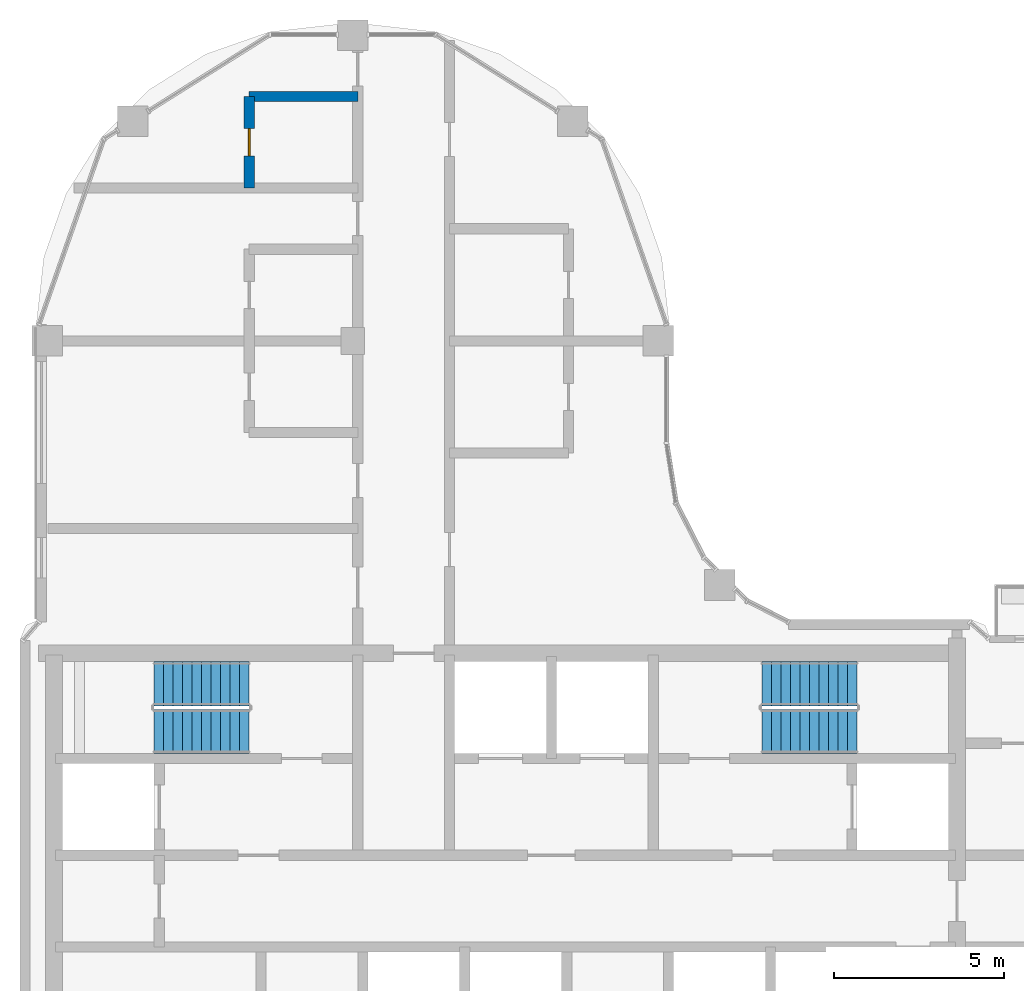
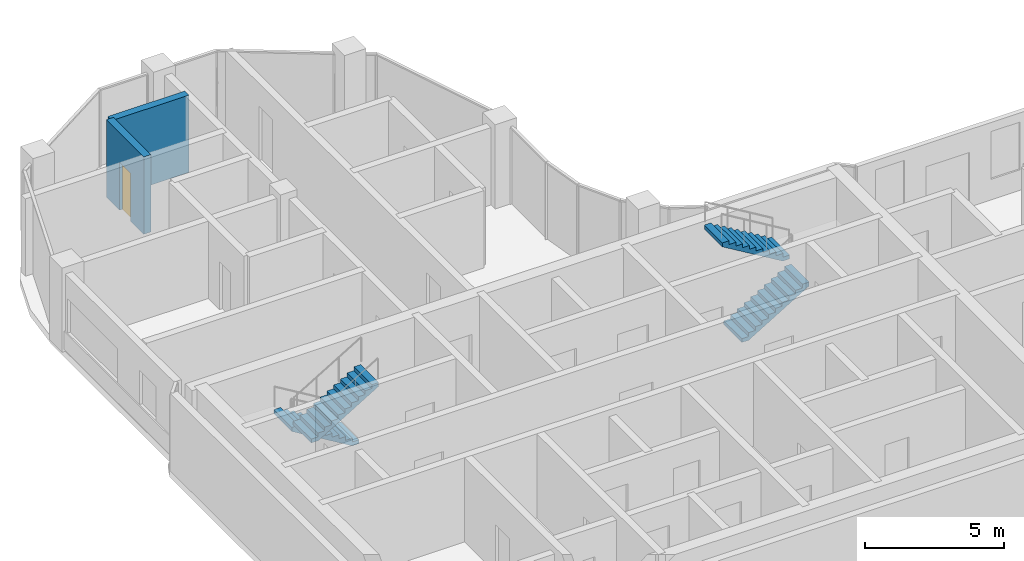
# One storey, part 14 of 19: 4 stair flights, 2 walls, 1 door, 1 opening, 2 elements without a shape of their own.
"""IFC4 building model written with IfcOpenShell, lengths in metres."""

import ifcopenshell
import ifcopenshell.guid

model = None  # the IFC model being written
_history = None  # IfcOwnerHistory: only IFC2X3 demands one
_inside = {}  # id of a spatial element -> (the spatial element, [elements in it])
_under = {}  # id of a project, library or spatial element -> (it, [spatial elements below it])
_declared = {}  # id of a project -> (the project, [libraries it declares])
_typed = {}  # id of a type object -> (the type object, [elements of that type])
_made_of = {}  # id of a material, layer set ... -> (it, [elements and type objects made of it])


def new_model(schema):
    """Start an empty IFC model of exactly this schema.

    Asked for "IFC4X3", IfcOpenShell would pick the latest addendum, in which some entities
    have other attributes; the version numbers below select the first issue.
    IFC2X3 requires an IfcOwnerHistory on every rooted entity: one is made here for all.
    """
    global model, _history
    if schema == "IFC4X3":
        model = ifcopenshell.file(schema_version=(4, 3, 0, 0))
    else:
        model = ifcopenshell.file(schema=schema)
    _inside.clear()
    _under.clear()
    _declared.clear()
    _typed.clear()
    _made_of.clear()
    _history = None
    if model.schema == "IFC2X3":
        org = make("IfcOrganization", Name="unknown")
        user = make(
            "IfcPersonAndOrganization",
            ThePerson=make("IfcPerson", FamilyName="unknown"),
            TheOrganization=org,
        )
        app = make(
            "IfcApplication",
            ApplicationDeveloper=org,
            Version="unknown",
            ApplicationFullName="unknown",
            ApplicationIdentifier="unknown",
        )
        _history = make(
            "IfcOwnerHistory",
            OwningUser=user,
            OwningApplication=app,
            ChangeAction="ADDED",
            CreationDate=0,
        )
    return model


def make(cls, **values):
    """One entity of the class cls with the attributes given. An attribute that is None is left unset."""
    return model.create_entity(
        cls, **{name: value for name, value in values.items() if value is not None}
    )


def rooted(cls, **values):
    """An entity with a GlobalId (a new one), such as an element, a storey or a relation."""
    return make(cls, GlobalId=ifcopenshell.guid.new(), OwnerHistory=_history, **values)


def si_unit(unit_type, name, prefix=None):
    """IfcSIUnit, for example si_unit("LENGTHUNIT", "METRE", prefix="MILLI")."""
    return make("IfcSIUnit", UnitType=unit_type, Prefix=prefix, Name=name)


def assignment(units):
    """IfcUnitAssignment: the units of a project."""
    return None if units is None else make("IfcUnitAssignment", Units=units)


def point(xyz):
    """IfcCartesianPoint."""
    return None if xyz is None else make("IfcCartesianPoint", Coordinates=xyz)


def direction(xyz):
    """IfcDirection."""
    return None if xyz is None else make("IfcDirection", DirectionRatios=xyz)


def frame(location, z_axis=None, x_axis=None):
    """IfcAxis2Placement3D, a coordinate frame: its origin and axes. An axis left out is left unset."""
    return make(
        "IfcAxis2Placement3D",
        Location=point(location),
        Axis=direction(z_axis),
        RefDirection=direction(x_axis),
    )


def frame_2d(location, x_axis=None):
    """IfcAxis2Placement2D, a coordinate frame in the plane: its origin and x axis."""
    return make(
        "IfcAxis2Placement2D", Location=point(location), RefDirection=direction(x_axis)
    )


def origin():
    """The frame at (0, 0, 0) with its axes left unset."""
    return frame((0.0, 0.0, 0.0))


def place(relative_to, where):
    """IfcLocalPlacement: puts the frame where relative to a parent placement (None: the world)."""
    return make(
        "IfcLocalPlacement", PlacementRelTo=relative_to, RelativePlacement=where
    )


def context(
    kind, dimensions, precision=None, world=None, true_north=None, identifier=None
):
    """IfcGeometricRepresentationContext, for example the 3D "Model" context."""
    return make(
        "IfcGeometricRepresentationContext",
        ContextIdentifier=identifier,
        ContextType=kind,
        CoordinateSpaceDimension=dimensions,
        Precision=precision,
        WorldCoordinateSystem=world,
        TrueNorth=true_north,
    )


def subcontext(parent, identifier, kind, view, scale=None):
    """IfcGeometricRepresentationSubContext, for example "Body" below "Model"."""
    return make(
        "IfcGeometricRepresentationSubContext",
        ContextIdentifier=identifier,
        ContextType=kind,
        ParentContext=parent,
        TargetScale=scale,
        TargetView=view,
    )


def project(units=None, contexts=None):
    """IfcProject with its units and contexts."""
    return rooted(
        "IfcProject",
        Name="project",
        RepresentationContexts=contexts,
        UnitsInContext=assignment(units),
    )


def spatial(cls, under=None, at=None, **own):
    """A site, building, storey or space (cls), placed at a placement, below another one or the project."""
    s = rooted(cls, ObjectPlacement=at, **own)
    if under is not None:
        _under.setdefault(under.id(), (under, []))[1].append(s)
    return s


def point_list(points):
    """IfcCartesianPointList2D or 3D."""
    cls = (
        "IfcCartesianPointList2D" if len(points[0]) == 2 else "IfcCartesianPointList3D"
    )
    return make(cls, CoordList=points)


def profile(cls, at=None, kind="AREA", **sizes):
    """A parametric profile (cls). Its sizes go by their IFC names, for example OverallWidth=200.0."""
    return make(cls, ProfileType=kind, Position=at, **sizes)


def rectangle(**sizes):
    """IfcRectangleProfileDef."""
    return profile("IfcRectangleProfileDef", **sizes)


def extrude(swept, where, along, depth):
    """IfcExtrudedAreaSolid: the profile swept, set in the frame where, extruded along a direction by depth."""
    return make(
        "IfcExtrudedAreaSolid",
        SweptArea=swept,
        Position=where,
        ExtrudedDirection=direction(along),
        Depth=depth,
    )


def triangles(points, corners, closed=None, point_numbers=None):
    """IfcTriangulatedFaceSet: each triangle names its three corners, points numbered from 1."""
    return make(
        "IfcTriangulatedFaceSet",
        Coordinates=point_list(points),
        Closed=closed,
        CoordIndex=corners,
        PnIndex=point_numbers,
    )


def shape(context_of_items, identifier, shape_type, items):
    """IfcShapeRepresentation: the items that make up one representation, for example the "Body"."""
    return make(
        "IfcShapeRepresentation",
        ContextOfItems=context_of_items,
        RepresentationIdentifier=identifier,
        RepresentationType=shape_type,
        Items=items,
    )


def source(mapping_origin, context_of_items, identifier, shape_type, items):
    """IfcRepresentationMap: a shape defined once, which mapped items show again and again."""
    return make(
        "IfcRepresentationMap",
        MappingOrigin=mapping_origin,
        MappedRepresentation=shape(context_of_items, identifier, shape_type, items),
    )


def transform(
    local_origin,
    x_axis=None,
    y_axis=None,
    z_axis=None,
    scale=None,
    scale2=None,
    scale3=None,
    uniform=True,
):
    """IfcCartesianTransformationOperator3D, or its non-uniform kind. x_axis, y_axis, z_axis: its Axis1, 2, 3."""
    if uniform:
        return make(
            "IfcCartesianTransformationOperator3D",
            Axis1=direction(x_axis),
            Axis2=direction(y_axis),
            LocalOrigin=point(local_origin),
            Scale=scale,
            Axis3=direction(z_axis),
        )
    return make(
        "IfcCartesianTransformationOperator3DnonUniform",
        Axis1=direction(x_axis),
        Axis2=direction(y_axis),
        LocalOrigin=point(local_origin),
        Scale=scale,
        Axis3=direction(z_axis),
        Scale2=scale2,
        Scale3=scale3,
    )


def mapped(mapping_source, mapping_target):
    """IfcMappedItem: shows the shape of a source again, moved by a transform."""
    return make(
        "IfcMappedItem", MappingSource=mapping_source, MappingTarget=mapping_target
    )


def material(Name=None, Category=None):
    """IfcMaterial."""
    return make("IfcMaterial", Name=Name, Category=Category)


def layer(
    of_material, thickness, ventilated=None, Name=None, Category=None, Priority=None
):
    """IfcMaterialLayer: one layer of a wall or slab, of a material (None: an air gap)."""
    return make(
        "IfcMaterialLayer",
        Material=of_material,
        LayerThickness=thickness,
        IsVentilated=ventilated,
        Name=Name,
        Category=Category,
        Priority=Priority,
    )


def layer_set(layers, Name=None):
    """IfcMaterialLayerSet."""
    return make("IfcMaterialLayerSet", MaterialLayers=layers, LayerSetName=Name)


def made_of(thing, what):
    """Note that an element or type object is made of a material, layer set ...; save() writes the relation."""
    if what is not None:
        _made_of.setdefault(what.id(), (what, []))[1].append(thing)
    return thing


def type_object(cls, material=None, **own):
    """A type object (cls), such as IfcWallType, which elements share."""
    return made_of(rooted(cls, **own), material)


def element(
    cls,
    number,
    at=None,
    inside=None,
    cuts=None,
    type_object=None,
    material=None,
    context=None,
    identifier="Body",
    shape_type=None,
    held_by="IfcProductDefinitionShape",
    body=None,
    shapes=None,
    **own,
):
    """One element of the class cls, such as IfcWall. Its Tag is "e" and its number.

    at: its placement. inside: the storey or other place that contains it. cuts: it is an
    opening in that element (IfcRelVoidsElement). A single representation is given by context,
    identifier, shape_type and body (its items); several are given by shapes. held_by: the class
    of the entity that holds the representations. save() writes the other relations.
    """
    e = rooted(cls, Tag="e%d" % number, ObjectPlacement=at, **own)
    if body is not None:
        shapes = [shape(context, identifier, shape_type, body)]
    if shapes is not None:
        e.Representation = make(held_by, Representations=shapes)
    if inside is not None:
        _inside.setdefault(inside.id(), (inside, []))[1].append(e)
    if cuts is not None:
        rooted(
            "IfcRelVoidsElement", RelatingBuildingElement=cuts, RelatedOpeningElement=e
        )
    if type_object is not None:
        _typed.setdefault(type_object.id(), (type_object, []))[1].append(e)
    return made_of(e, material)


def fill(opening, filler):
    """IfcRelFillsElement: the door or window that sits in an opening."""
    return rooted(
        "IfcRelFillsElement",
        RelatingOpeningElement=opening,
        RelatedBuildingElement=filler,
    )


def aggregate(whole, parts):
    """IfcRelAggregates: a whole, such as a stair, and the parts it consists of."""
    return rooted("IfcRelAggregates", RelatingObject=whole, RelatedObjects=parts)


def save(model, path):
    """Write the relations noted so far, then the file.

    IfcRelAggregates (storeys below a building ...), IfcRelContainedInSpatialStructure (elements
    in a storey), IfcRelDefinesByType, IfcRelAssociatesMaterial and IfcRelDeclares: one each for
    every whole, place, type object, material and project.
    """
    for whole, parts in _under.values():
        aggregate(whole, parts)
    for where, things in _inside.values():
        rooted(
            "IfcRelContainedInSpatialStructure",
            RelatedElements=things,
            RelatingStructure=where,
        )
    for kind, things in _typed.values():
        rooted("IfcRelDefinesByType", RelatedObjects=things, RelatingType=kind)
    for what, things in _made_of.values():
        rooted("IfcRelAssociatesMaterial", RelatedObjects=things, RelatingMaterial=what)
    for by, libraries in _declared.values():
        rooted("IfcRelDeclares", RelatingContext=by, RelatedDefinitions=libraries)
    model.write(path)


model = new_model("IFC4")

# Units and contexts
model_context = context("Model", 3, precision=1e-05, world=origin(), true_north=direction((0.0, 1.0)))
body_context = subcontext(model_context, "Body", "Model", "MODEL_VIEW")
ifc_project = project(units=[si_unit("LENGTHUNIT", "METRE"), si_unit("AREAUNIT", "SQUARE_METRE"), si_unit("VOLUMEUNIT", "CUBIC_METRE"), si_unit("PLANEANGLEUNIT", "RADIAN"), si_unit("MASSUNIT", "GRAM", prefix="KILO")], contexts=[model_context])

# Site, building, storey
site_placement = place(None, origin())
site = spatial("IfcSite", under=ifc_project, at=site_placement, CompositionType="ELEMENT")
building_placement = place(site_placement, origin())
building = spatial("IfcBuilding", under=site, at=building_placement, Name="Ogive Portal Towers", CompositionType="ELEMENT")
storey_placement = place(building_placement, frame((0.0, 0.0, 218.0)))
storey = spatial("IfcBuildingStorey", under=building, at=storey_placement, Name="L54", CompositionType="ELEMENT", Elevation=218.0)

# Wall
ifc_material_1 = material(Name="Gypsum board partition on steel studs", Category="steel")
ifc_layer = layer(ifc_material_1, 0.300048828125)
ifc_layer_set = layer_set([ifc_layer], Name="WT-PART-300-EI 60")
wall_type = type_object("IfcWallType", Name="WT-PART-300-EI 60", PredefinedType="PARTITIONING", material=ifc_layer_set)
wall_1_placement = place(storey_placement, frame((37.449951171875, 55.699951171875, 0.0), z_axis=(0.0, 0.0, 1.0), x_axis=(1.0, 0.0, 0.0)))
element("IfcWall", 1, at=wall_1_placement, inside=storey, type_object=wall_type, Name="Wall L54:w022", PredefinedType="PARTITIONING", context=body_context, shape_type="SweptSolid", body=[
    extrude(rectangle(XDim=3.199951171875, YDim=0.300048828125, at=frame_2d((1.60009765625, 0.0))), origin(), (0.0, 0.0, 1.0), 3.39990234375),
])

# Wall, opening, door
wall_2_placement = place(storey_placement, frame((37.449951171875, 53.0, 0.0), z_axis=(0.0, 0.0, 1.0), x_axis=(0.0, 1.0, 0.0)))
wall_2 = element("IfcWall", 2, at=wall_2_placement, inside=storey, type_object=wall_type, Name="Wall L54:w024", PredefinedType="PARTITIONING", context=body_context, shape_type="SweptSolid", body=[
    extrude(rectangle(XDim=2.699951171875, YDim=0.300048828125, at=frame_2d((1.35009765625, 0.0))), origin(), (0.0, 0.0, 1.0), 3.39990234375),
])
opening_placement = place(wall_2_placement, frame((0.949951171875, 0.0, 0.0)))
opening = element("IfcOpeningElement", 3, at=opening_placement, cuts=wall_2, Name="Opening D24-051", PredefinedType="OPENING", context=body_context, shape_type="SweptSolid", body=[
    extrude(rectangle(XDim=0.800048828125, YDim=2.10009765625, at=frame_2d((0.39990234375, 1.050048828125))), frame((0.0, 0.16015625, 0.0), z_axis=(0.0, -1.0, 0.0), x_axis=(1.0, 0.0, 0.0)), (0.0, 0.0, 1.0), 0.320068359375),
])
ifc_material_2 = material(Name="Steel fire door", Category="steel")
door_type = type_object("IfcDoorType", Name="DT-BATH-800x2100-FD60S", OperationType="SINGLE_SWING_LEFT", PredefinedType="DOOR", material=ifc_material_2)
door_placement = place(opening_placement, origin())
door = element("IfcDoor", 4, at=door_placement, inside=storey, type_object=door_type, Name="Door D24-051", OperationType="SINGLE_SWING_LEFT", OverallHeight=2.10009765625, OverallWidth=0.800048828125, PredefinedType="DOOR", context=body_context, shape_type="SweptSolid", body=[
    extrude(rectangle(XDim=0.800048828125, YDim=2.10009765625, at=frame_2d((0.39990234375, 1.050048828125))), frame((0.0, 0.02490234375, 0.0), z_axis=(0.0, -1.0, 0.0), x_axis=(1.0, 0.0, 0.0)), (0.0, 0.0, 1.0), 0.050048828125),
])
fill(opening, door)

# Stair, stair flights
ifc_material_3 = material(Name="Concrete C40/50", Category="concrete")
stair_type = type_object("IfcStairType", Name="INT-STAIR", PredefinedType="HALF_TURN_STAIR", material=ifc_material_3)
stair_1_placement = place(storey_placement, origin())
stair_1 = element("IfcStair", 5, at=stair_1_placement, inside=storey, type_object=stair_type, Name="L54 Exit Stair ST-A1", PredefinedType="HALF_TURN_STAIR")
stair_flight_type = type_object("IfcStairFlightType", Name="INT-FLIGHT", PredefinedType="STRAIGHT", material=ifc_material_3)
shared_shape = source(origin(), body_context, "Body", "Tessellation", [
    triangles([(0.0, -0.650146484375, 0.0), (0.0, -0.376220703125, 0.0), (0.0, -0.192626953125, 0.0), (0.0, -0.081298828125, 0.0), (0.0, -0.024169921875, 0.0), (0.0, -0.003173828125, 0.0), (0.0, 0.0, 0.0), (0.0, 0.0029296875, 0.0), (0.0, 0.02392578125, 0.0), (0.0, 0.0810546875, 0.0), (0.0, 0.1923828125, 0.0), (0.0, 0.3759765625, 0.0), (0.0, 0.64990234375, 0.0), (0.0, -0.650146484375, 0.168212890625), (0.0, -0.376220703125, 0.168212890625), (0.0, -0.192626953125, 0.168212890625), (0.0, -0.081298828125, 0.168212890625), (0.0, -0.024169921875, 0.168212890625), (0.0, -0.003173828125, 0.168212890625), (0.0, 0.0, 0.168212890625), (0.0, 0.0029296875, 0.168212890625), (0.0, 0.02392578125, 0.168212890625), (0.0, 0.0810546875, 0.168212890625), (0.0, 0.1923828125, 0.168212890625), (0.0, 0.3759765625, 0.168212890625), (0.0, 0.64990234375, 0.168212890625), (0.280029296875, -0.650146484375, 0.168212890625), (0.280029296875, -0.376220703125, 0.168212890625), (0.280029296875, -0.192626953125, 0.168212890625), (0.280029296875, -0.081298828125, 0.168212890625), (0.280029296875, -0.024169921875, 0.168212890625), (0.280029296875, -0.003173828125, 0.168212890625), (0.280029296875, 0.0, 0.168212890625), (0.280029296875, 0.0029296875, 0.168212890625), (0.280029296875, 0.02392578125, 0.168212890625), (0.280029296875, 0.0810546875, 0.168212890625), (0.280029296875, 0.1923828125, 0.168212890625), (0.280029296875, 0.3759765625, 0.168212890625), (0.280029296875, 0.64990234375, 0.168212890625), (0.280029296875, -0.650146484375, 0.33642578125), (0.280029296875, -0.376220703125, 0.33642578125), (0.280029296875, -0.192626953125, 0.33642578125), (0.280029296875, -0.081298828125, 0.33642578125), (0.280029296875, -0.024169921875, 0.33642578125), (0.280029296875, -0.003173828125, 0.33642578125), (0.280029296875, 0.0, 0.33642578125), (0.280029296875, 0.0029296875, 0.33642578125), (0.280029296875, 0.02392578125, 0.33642578125), (0.280029296875, 0.0810546875, 0.33642578125), (0.280029296875, 0.1923828125, 0.33642578125), (0.280029296875, 0.3759765625, 0.33642578125), (0.280029296875, 0.64990234375, 0.33642578125), (0.56005859375, -0.650146484375, 0.33642578125), (0.56005859375, -0.376220703125, 0.33642578125), (0.56005859375, -0.192626953125, 0.33642578125), (0.56005859375, -0.081298828125, 0.33642578125), (0.56005859375, -0.024169921875, 0.33642578125), (0.56005859375, -0.003173828125, 0.33642578125), (0.56005859375, 0.0, 0.33642578125), (0.56005859375, 0.0029296875, 0.33642578125), (0.56005859375, 0.02392578125, 0.33642578125), (0.56005859375, 0.0810546875, 0.33642578125), (0.56005859375, 0.1923828125, 0.33642578125), (0.56005859375, 0.3759765625, 0.33642578125), (0.56005859375, 0.64990234375, 0.33642578125), (0.56005859375, -0.650146484375, 0.504638671875), (0.56005859375, -0.376220703125, 0.504638671875), (0.56005859375, -0.192626953125, 0.504638671875), (0.56005859375, -0.081298828125, 0.504638671875), (0.56005859375, -0.024169921875, 0.504638671875), (0.56005859375, -0.003173828125, 0.504638671875), (0.56005859375, 0.0, 0.504638671875), (0.56005859375, 0.0029296875, 0.504638671875), (0.56005859375, 0.02392578125, 0.504638671875), (0.56005859375, 0.0810546875, 0.504638671875), (0.56005859375, 0.1923828125, 0.504638671875), (0.56005859375, 0.3759765625, 0.504638671875), (0.56005859375, 0.64990234375, 0.504638671875), (0.840087890625, -0.650146484375, 0.504638671875), (0.840087890625, -0.376220703125, 0.504638671875), (0.840087890625, -0.192626953125, 0.504638671875), (0.840087890625, -0.081298828125, 0.504638671875), (0.840087890625, -0.024169921875, 0.504638671875), (0.840087890625, -0.003173828125, 0.504638671875), (0.840087890625, 0.0, 0.504638671875), (0.840087890625, 0.0029296875, 0.504638671875), (0.840087890625, 0.02392578125, 0.504638671875), (0.840087890625, 0.0810546875, 0.504638671875), (0.840087890625, 0.1923828125, 0.504638671875), (0.840087890625, 0.3759765625, 0.504638671875), (0.840087890625, 0.64990234375, 0.504638671875), (0.840087890625, -0.650146484375, 0.672607421875), (0.840087890625, -0.376220703125, 0.672607421875), (0.840087890625, -0.192626953125, 0.672607421875), (0.840087890625, -0.081298828125, 0.672607421875), (0.840087890625, -0.024169921875, 0.672607421875), (0.840087890625, -0.003173828125, 0.672607421875), (0.840087890625, 0.0, 0.672607421875), (0.840087890625, 0.0029296875, 0.672607421875), (0.840087890625, 0.02392578125, 0.672607421875), (0.840087890625, 0.0810546875, 0.672607421875), (0.840087890625, 0.1923828125, 0.672607421875), (0.840087890625, 0.3759765625, 0.672607421875), (0.840087890625, 0.64990234375, 0.672607421875), (1.1201171875, -0.650146484375, 0.672607421875), (1.1201171875, -0.376220703125, 0.672607421875), (1.1201171875, -0.192626953125, 0.672607421875), (1.1201171875, -0.081298828125, 0.672607421875), (1.1201171875, -0.024169921875, 0.672607421875), (1.1201171875, -0.003173828125, 0.672607421875), (1.1201171875, 0.0, 0.672607421875), (1.1201171875, 0.0029296875, 0.672607421875), (1.1201171875, 0.02392578125, 0.672607421875), (1.1201171875, 0.0810546875, 0.672607421875), (1.1201171875, 0.1923828125, 0.672607421875), (1.1201171875, 0.3759765625, 0.672607421875), (1.1201171875, 0.64990234375, 0.672607421875), (1.1201171875, -0.650146484375, 0.8408203125), (1.1201171875, -0.376220703125, 0.8408203125), (1.1201171875, -0.192626953125, 0.8408203125), (1.1201171875, -0.081298828125, 0.8408203125), (1.1201171875, -0.024169921875, 0.8408203125), (1.1201171875, -0.003173828125, 0.8408203125), (1.1201171875, 0.0, 0.8408203125), (1.1201171875, 0.0029296875, 0.8408203125), (1.1201171875, 0.02392578125, 0.8408203125), (1.1201171875, 0.0810546875, 0.8408203125), (1.1201171875, 0.1923828125, 0.8408203125), (1.1201171875, 0.3759765625, 0.8408203125), (1.1201171875, 0.64990234375, 0.8408203125), (1.39990234375, -0.650146484375, 0.8408203125), (1.39990234375, -0.376220703125, 0.8408203125), (1.39990234375, -0.192626953125, 0.8408203125), (1.39990234375, -0.081298828125, 0.8408203125), (1.39990234375, -0.024169921875, 0.8408203125), (1.39990234375, -0.003173828125, 0.8408203125), (1.39990234375, 0.0, 0.8408203125), (1.39990234375, 0.0029296875, 0.8408203125), (1.39990234375, 0.02392578125, 0.8408203125), (1.39990234375, 0.0810546875, 0.8408203125), (1.39990234375, 0.1923828125, 0.8408203125), (1.39990234375, 0.3759765625, 0.8408203125), (1.39990234375, 0.64990234375, 0.8408203125), (1.39990234375, -0.650146484375, 1.009033203125), (1.39990234375, -0.376220703125, 1.009033203125), (1.39990234375, -0.192626953125, 1.009033203125), (1.39990234375, -0.081298828125, 1.009033203125), (1.39990234375, -0.024169921875, 1.009033203125), (1.39990234375, -0.003173828125, 1.009033203125), (1.39990234375, 0.0, 1.009033203125), (1.39990234375, 0.0029296875, 1.009033203125), (1.39990234375, 0.02392578125, 1.009033203125), (1.39990234375, 0.0810546875, 1.009033203125), (1.39990234375, 0.1923828125, 1.009033203125), (1.39990234375, 0.3759765625, 1.009033203125), (1.39990234375, 0.64990234375, 1.009033203125), (1.679931640625, -0.650146484375, 1.009033203125), (1.679931640625, -0.376220703125, 1.009033203125), (1.679931640625, -0.192626953125, 1.009033203125), (1.679931640625, -0.081298828125, 1.009033203125), (1.679931640625, -0.024169921875, 1.009033203125), (1.679931640625, -0.003173828125, 1.009033203125), (1.679931640625, 0.0, 1.009033203125), (1.679931640625, 0.0029296875, 1.009033203125), (1.679931640625, 0.02392578125, 1.009033203125), (1.679931640625, 0.0810546875, 1.009033203125), (1.679931640625, 0.1923828125, 1.009033203125), (1.679931640625, 0.3759765625, 1.009033203125), (1.679931640625, 0.64990234375, 1.009033203125), (1.679931640625, -0.650146484375, 1.17724609375), (1.679931640625, -0.376220703125, 1.17724609375), (1.679931640625, -0.192626953125, 1.17724609375), (1.679931640625, -0.081298828125, 1.17724609375), (1.679931640625, -0.024169921875, 1.17724609375), (1.679931640625, -0.003173828125, 1.17724609375), (1.679931640625, 0.0, 1.17724609375), (1.679931640625, 0.0029296875, 1.17724609375), (1.679931640625, 0.02392578125, 1.17724609375), (1.679931640625, 0.0810546875, 1.17724609375), (1.679931640625, 0.1923828125, 1.17724609375), (1.679931640625, 0.3759765625, 1.17724609375), (1.679931640625, 0.64990234375, 1.17724609375), (1.9599609375, -0.650146484375, 1.17724609375), (1.9599609375, -0.376220703125, 1.17724609375), (1.9599609375, -0.192626953125, 1.17724609375), (1.9599609375, -0.081298828125, 1.17724609375), (1.9599609375, -0.024169921875, 1.17724609375), (1.9599609375, -0.003173828125, 1.17724609375), (1.9599609375, 0.0, 1.17724609375), (1.9599609375, 0.0029296875, 1.17724609375), (1.9599609375, 0.02392578125, 1.17724609375), (1.9599609375, 0.0810546875, 1.17724609375), (1.9599609375, 0.1923828125, 1.17724609375), (1.9599609375, 0.3759765625, 1.17724609375), (1.9599609375, 0.64990234375, 1.17724609375), (1.9599609375, -0.650146484375, 1.345458984375), (1.9599609375, -0.376220703125, 1.345458984375), (1.9599609375, -0.192626953125, 1.345458984375), (1.9599609375, -0.081298828125, 1.345458984375), (1.9599609375, -0.024169921875, 1.345458984375), (1.9599609375, -0.003173828125, 1.345458984375), (1.9599609375, 0.0, 1.345458984375), (1.9599609375, 0.0029296875, 1.345458984375), (1.9599609375, 0.02392578125, 1.345458984375), (1.9599609375, 0.0810546875, 1.345458984375), (1.9599609375, 0.1923828125, 1.345458984375), (1.9599609375, 0.3759765625, 1.345458984375), (1.9599609375, 0.64990234375, 1.345458984375), (2.239990234375, -0.650146484375, 1.345458984375), (2.239990234375, -0.376220703125, 1.345458984375), (2.239990234375, -0.192626953125, 1.345458984375), (2.239990234375, -0.081298828125, 1.345458984375), (2.239990234375, -0.024169921875, 1.345458984375), (2.239990234375, -0.003173828125, 1.345458984375), (2.239990234375, 0.0, 1.345458984375), (2.239990234375, 0.0029296875, 1.345458984375), (2.239990234375, 0.02392578125, 1.345458984375), (2.239990234375, 0.0810546875, 1.345458984375), (2.239990234375, 0.1923828125, 1.345458984375), (2.239990234375, 0.3759765625, 1.345458984375), (2.239990234375, 0.64990234375, 1.345458984375), (2.239990234375, -0.650146484375, 1.513671875), (2.239990234375, -0.376220703125, 1.513671875), (2.239990234375, -0.192626953125, 1.513671875), (2.239990234375, -0.081298828125, 1.513671875), (2.239990234375, -0.024169921875, 1.513671875), (2.239990234375, -0.003173828125, 1.513671875), (2.239990234375, 0.0, 1.513671875), (2.239990234375, 0.0029296875, 1.513671875), (2.239990234375, 0.02392578125, 1.513671875), (2.239990234375, 0.0810546875, 1.513671875), (2.239990234375, 0.1923828125, 1.513671875), (2.239990234375, 0.3759765625, 1.513671875), (2.239990234375, 0.64990234375, 1.513671875), (2.52001953125, -0.650146484375, 1.513671875), (2.52001953125, -0.376220703125, 1.513671875), (2.52001953125, -0.192626953125, 1.513671875), (2.52001953125, -0.081298828125, 1.513671875), (2.52001953125, -0.024169921875, 1.513671875), (2.52001953125, -0.003173828125, 1.513671875), (2.52001953125, 0.0, 1.513671875), (2.52001953125, 0.0029296875, 1.513671875), (2.52001953125, 0.02392578125, 1.513671875), (2.52001953125, 0.0810546875, 1.513671875), (2.52001953125, 0.1923828125, 1.513671875), (2.52001953125, 0.3759765625, 1.513671875), (2.52001953125, 0.64990234375, 1.513671875), (2.52001953125, -0.650146484375, 1.681884765625), (2.52001953125, -0.376220703125, 1.681884765625), (2.52001953125, -0.192626953125, 1.681884765625), (2.52001953125, -0.081298828125, 1.681884765625), (2.52001953125, -0.024169921875, 1.681884765625), (2.52001953125, -0.003173828125, 1.681884765625), (2.52001953125, 0.0, 1.681884765625), (2.52001953125, 0.0029296875, 1.681884765625), (2.52001953125, 0.02392578125, 1.681884765625), (2.52001953125, 0.0810546875, 1.681884765625), (2.52001953125, 0.1923828125, 1.681884765625), (2.52001953125, 0.3759765625, 1.681884765625), (2.52001953125, 0.64990234375, 1.681884765625), (2.800048828125, -0.650146484375, 1.681884765625), (2.800048828125, -0.376220703125, 1.681884765625), (2.800048828125, -0.192626953125, 1.681884765625), (2.800048828125, -0.081298828125, 1.681884765625), (2.800048828125, -0.024169921875, 1.681884765625), (2.800048828125, -0.003173828125, 1.681884765625), (2.800048828125, 0.0, 1.681884765625), (2.800048828125, 0.0029296875, 1.681884765625), (2.800048828125, 0.02392578125, 1.681884765625), (2.800048828125, 0.0810546875, 1.681884765625), (2.800048828125, 0.1923828125, 1.681884765625), (2.800048828125, 0.3759765625, 1.681884765625), (2.800048828125, 0.64990234375, 1.681884765625), (2.800048828125, -0.650146484375, 1.5068359375), (2.800048828125, -0.376220703125, 1.5068359375), (2.800048828125, -0.192626953125, 1.5068359375), (2.800048828125, -0.081298828125, 1.5068359375), (2.800048828125, -0.024169921875, 1.5068359375), (2.800048828125, -0.003173828125, 1.5068359375), (2.800048828125, 0.0, 1.5068359375), (2.800048828125, 0.0029296875, 1.5068359375), (2.800048828125, 0.02392578125, 1.5068359375), (2.800048828125, 0.0810546875, 1.5068359375), (2.800048828125, 0.1923828125, 1.5068359375), (2.800048828125, 0.3759765625, 1.5068359375), (2.800048828125, 0.64990234375, 1.5068359375), (0.291015625, -0.650146484375, 0.0), (0.291015625, -0.376220703125, 0.0), (0.291015625, -0.192626953125, 0.0), (0.291015625, -0.081298828125, 0.0), (0.291015625, -0.024169921875, 0.0), (0.291015625, -0.003173828125, 0.0), (0.291015625, 0.0, 0.0), (0.291015625, 0.0029296875, 0.0), (0.291015625, 0.02392578125, 0.0), (0.291015625, 0.0810546875, 0.0), (0.291015625, 0.1923828125, 0.0), (0.291015625, 0.3759765625, 0.0), (0.291015625, 0.64990234375, 0.0)], [[1, 14, 15], [1, 15, 2], [2, 15, 16], [2, 16, 3], [3, 16, 17], [3, 17, 4], [4, 17, 18], [4, 18, 5], [5, 18, 19], [5, 19, 6], [6, 19, 20], [6, 20, 7], [7, 20, 21], [7, 21, 8], [8, 21, 22], [8, 22, 9], [9, 22, 23], [9, 23, 10], [10, 23, 24], [10, 24, 11], [11, 24, 25], [11, 25, 12], [12, 25, 26], [12, 26, 13], [14, 27, 28], [14, 28, 15], [15, 28, 29], [15, 29, 16], [16, 29, 30], [16, 30, 17], [17, 30, 31], [17, 31, 18], [18, 31, 32], [18, 32, 19], [19, 32, 33], [19, 33, 20], [20, 33, 34], [20, 34, 21], [21, 34, 35], [21, 35, 22], [22, 35, 36], [22, 36, 23], [23, 36, 37], [23, 37, 24], [24, 37, 38], [24, 38, 25], [25, 38, 39], [25, 39, 26], [27, 40, 41], [27, 41, 28], [28, 41, 42], [28, 42, 29], [29, 42, 43], [29, 43, 30], [30, 43, 44], [30, 44, 31], [31, 44, 45], [31, 45, 32], [32, 45, 46], [32, 46, 33], [33, 46, 47], [33, 47, 34], [34, 47, 48], [34, 48, 35], [35, 48, 49], [35, 49, 36], [36, 49, 50], [36, 50, 37], [37, 50, 51], [37, 51, 38], [38, 51, 52], [38, 52, 39], [40, 53, 54], [40, 54, 41], [41, 54, 55], [41, 55, 42], [42, 55, 56], [42, 56, 43], [43, 56, 57], [43, 57, 44], [44, 57, 58], [44, 58, 45], [45, 58, 59], [45, 59, 46], [46, 59, 60], [46, 60, 47], [47, 60, 61], [47, 61, 48], [48, 61, 62], [48, 62, 49], [49, 62, 63], [49, 63, 50], [50, 63, 64], [50, 64, 51], [51, 64, 65], [51, 65, 52], [53, 66, 67], [53, 67, 54], [54, 67, 68], [54, 68, 55], [55, 68, 69], [55, 69, 56], [56, 69, 70], [56, 70, 57], [57, 70, 71], [57, 71, 58], [58, 71, 72], [58, 72, 59], [59, 72, 73], [59, 73, 60], [60, 73, 74], [60, 74, 61], [61, 74, 75], [61, 75, 62], [62, 75, 76], [62, 76, 63], [63, 76, 77], [63, 77, 64], [64, 77, 78], [64, 78, 65], [66, 79, 80], [66, 80, 67], [67, 80, 81], [67, 81, 68], [68, 81, 82], [68, 82, 69], [69, 82, 83], [69, 83, 70], [70, 83, 84], [70, 84, 71], [71, 84, 85], [71, 85, 72], [72, 85, 86], [72, 86, 73], [73, 86, 87], [73, 87, 74], [74, 87, 88], [74, 88, 75], [75, 88, 89], [75, 89, 76], [76, 89, 90], [76, 90, 77], [77, 90, 91], [77, 91, 78], [79, 92, 93], [79, 93, 80], [80, 93, 94], [80, 94, 81], [81, 94, 95], [81, 95, 82], [82, 95, 96], [82, 96, 83], [83, 96, 97], [83, 97, 84], [84, 97, 98], [84, 98, 85], [85, 98, 99], [85, 99, 86], [86, 99, 100], [86, 100, 87], [87, 100, 101], [87, 101, 88], [88, 101, 102], [88, 102, 89], [89, 102, 103], [89, 103, 90], [90, 103, 104], [90, 104, 91], [92, 105, 106], [92, 106, 93], [93, 106, 107], [93, 107, 94], [94, 107, 108], [94, 108, 95], [95, 108, 109], [95, 109, 96], [96, 109, 110], [96, 110, 97], [97, 110, 111], [97, 111, 98], [98, 111, 112], [98, 112, 99], [99, 112, 113], [99, 113, 100], [100, 113, 114], [100, 114, 101], [101, 114, 115], [101, 115, 102], [102, 115, 116], [102, 116, 103], [103, 116, 117], [103, 117, 104], [105, 118, 119], [105, 119, 106], [106, 119, 120], [106, 120, 107], [107, 120, 121], [107, 121, 108], [108, 121, 122], [108, 122, 109], [109, 122, 123], [109, 123, 110], [110, 123, 124], [110, 124, 111], [111, 124, 125], [111, 125, 112], [112, 125, 126], [112, 126, 113], [113, 126, 127], [113, 127, 114], [114, 127, 128], [114, 128, 115], [115, 128, 129], [115, 129, 116], [116, 129, 130], [116, 130, 117], [118, 131, 132], [118, 132, 119], [119, 132, 133], [119, 133, 120], [120, 133, 134], [120, 134, 121], [121, 134, 135], [121, 135, 122], [122, 135, 136], [122, 136, 123], [123, 136, 137], [123, 137, 124], [124, 137, 138], [124, 138, 125], [125, 138, 139], [125, 139, 126], [126, 139, 140], [126, 140, 127], [127, 140, 141], [127, 141, 128], [128, 141, 142], [128, 142, 129], [129, 142, 143], [129, 143, 130], [131, 144, 145], [131, 145, 132], [132, 145, 146], [132, 146, 133], [133, 146, 147], [133, 147, 134], [134, 147, 148], [134, 148, 135], [135, 148, 149], [135, 149, 136], [136, 149, 150], [136, 150, 137], [137, 150, 151], [137, 151, 138], [138, 151, 152], [138, 152, 139], [139, 152, 153], [139, 153, 140], [140, 153, 154], [140, 154, 141], [141, 154, 155], [141, 155, 142], [142, 155, 156], [142, 156, 143], [144, 157, 158], [144, 158, 145], [145, 158, 159], [145, 159, 146], [146, 159, 160], [146, 160, 147], [147, 160, 161], [147, 161, 148], [148, 161, 162], [148, 162, 149], [149, 162, 163], [149, 163, 150], [150, 163, 164], [150, 164, 151], [151, 164, 165], [151, 165, 152], [152, 165, 166], [152, 166, 153], [153, 166, 167], [153, 167, 154], [154, 167, 168], [154, 168, 155], [155, 168, 169], [155, 169, 156], [157, 170, 171], [157, 171, 158], [158, 171, 172], [158, 172, 159], [159, 172, 173], [159, 173, 160], [160, 173, 174], [160, 174, 161], [161, 174, 175], [161, 175, 162], [162, 175, 176], [162, 176, 163], [163, 176, 177], [163, 177, 164], [164, 177, 178], [164, 178, 165], [165, 178, 179], [165, 179, 166], [166, 179, 180], [166, 180, 167], [167, 180, 181], [167, 181, 168], [168, 181, 182], [168, 182, 169], [170, 183, 184], [170, 184, 171], [171, 184, 185], [171, 185, 172], [172, 185, 186], [172, 186, 173], [173, 186, 187], [173, 187, 174], [174, 187, 188], [174, 188, 175], [175, 188, 189], [175, 189, 176], [176, 189, 190], [176, 190, 177], [177, 190, 191], [177, 191, 178], [178, 191, 192], [178, 192, 179], [179, 192, 193], [179, 193, 180], [180, 193, 194], [180, 194, 181], [181, 194, 195], [181, 195, 182], [183, 196, 197], [183, 197, 184], [184, 197, 198], [184, 198, 185], [185, 198, 199], [185, 199, 186], [186, 199, 200], [186, 200, 187], [187, 200, 201], [187, 201, 188], [188, 201, 202], [188, 202, 189], [189, 202, 203], [189, 203, 190], [190, 203, 204], [190, 204, 191], [191, 204, 205], [191, 205, 192], [192, 205, 206], [192, 206, 193], [193, 206, 207], [193, 207, 194], [194, 207, 208], [194, 208, 195], [196, 209, 210], [196, 210, 197], [197, 210, 211], [197, 211, 198], [198, 211, 212], [198, 212, 199], [199, 212, 213], [199, 213, 200], [200, 213, 214], [200, 214, 201], [201, 214, 215], [201, 215, 202], [202, 215, 216], [202, 216, 203], [203, 216, 217], [203, 217, 204], [204, 217, 218], [204, 218, 205], [205, 218, 219], [205, 219, 206], [206, 219, 220], [206, 220, 207], [207, 220, 221], [207, 221, 208], [209, 222, 223], [209, 223, 210], [210, 223, 224], [210, 224, 211], [211, 224, 225], [211, 225, 212], [212, 225, 226], [212, 226, 213], [213, 226, 227], [213, 227, 214], [214, 227, 228], [214, 228, 215], [215, 228, 229], [215, 229, 216], [216, 229, 230], [216, 230, 217], [217, 230, 231], [217, 231, 218], [218, 231, 232], [218, 232, 219], [219, 232, 233], [219, 233, 220], [220, 233, 234], [220, 234, 221], [222, 235, 236], [222, 236, 223], [223, 236, 237], [223, 237, 224], [224, 237, 238], [224, 238, 225], [225, 238, 239], [225, 239, 226], [226, 239, 240], [226, 240, 227], [227, 240, 241], [227, 241, 228], [228, 241, 242], [228, 242, 229], [229, 242, 243], [229, 243, 230], [230, 243, 244], [230, 244, 231], [231, 244, 245], [231, 245, 232], [232, 245, 246], [232, 246, 233], [233, 246, 247], [233, 247, 234], [235, 248, 249], [235, 249, 236], [236, 249, 250], [236, 250, 237], [237, 250, 251], [237, 251, 238], [238, 251, 252], [238, 252, 239], [239, 252, 253], [239, 253, 240], [240, 253, 254], [240, 254, 241], [241, 254, 255], [241, 255, 242], [242, 255, 256], [242, 256, 243], [243, 256, 257], [243, 257, 244], [244, 257, 258], [244, 258, 245], [245, 258, 259], [245, 259, 246], [246, 259, 260], [246, 260, 247], [248, 261, 262], [248, 262, 249], [249, 262, 263], [249, 263, 250], [250, 263, 264], [250, 264, 251], [251, 264, 265], [251, 265, 252], [252, 265, 266], [252, 266, 253], [253, 266, 267], [253, 267, 254], [254, 267, 268], [254, 268, 255], [255, 268, 269], [255, 269, 256], [256, 269, 270], [256, 270, 257], [257, 270, 271], [257, 271, 258], [258, 271, 272], [258, 272, 259], [259, 272, 273], [259, 273, 260], [261, 274, 275], [261, 275, 262], [262, 275, 276], [262, 276, 263], [263, 276, 277], [263, 277, 264], [264, 277, 278], [264, 278, 265], [265, 278, 279], [265, 279, 266], [266, 279, 280], [266, 280, 267], [267, 280, 281], [267, 281, 268], [268, 281, 282], [268, 282, 269], [269, 282, 283], [269, 283, 270], [270, 283, 284], [270, 284, 271], [271, 284, 285], [271, 285, 272], [272, 285, 286], [272, 286, 273], [274, 287, 288], [274, 288, 275], [275, 288, 289], [275, 289, 276], [276, 289, 290], [276, 290, 277], [277, 290, 291], [277, 291, 278], [278, 291, 292], [278, 292, 279], [279, 292, 293], [279, 293, 280], [280, 293, 294], [280, 294, 281], [281, 294, 295], [281, 295, 282], [282, 295, 296], [282, 296, 283], [283, 296, 297], [283, 297, 284], [284, 297, 298], [284, 298, 285], [285, 298, 299], [285, 299, 286], [287, 1, 2], [287, 2, 288], [288, 2, 3], [288, 3, 289], [289, 3, 4], [289, 4, 290], [290, 4, 5], [290, 5, 291], [291, 5, 6], [291, 6, 292], [292, 6, 7], [292, 7, 293], [293, 7, 8], [293, 8, 294], [294, 8, 9], [294, 9, 295], [295, 9, 10], [295, 10, 296], [296, 10, 11], [296, 11, 297], [297, 11, 12], [297, 12, 298], [298, 12, 13], [298, 13, 299], [1, 287, 274], [13, 286, 299], [274, 261, 248], [286, 260, 273], [274, 248, 235], [286, 247, 260], [274, 235, 222], [286, 234, 247], [274, 222, 209], [286, 221, 234], [209, 196, 183], [221, 195, 208], [274, 209, 183], [286, 195, 221], [183, 170, 157], [195, 169, 182], [274, 183, 157], [286, 169, 195], [157, 144, 131], [169, 143, 156], [274, 157, 131], [286, 143, 169], [131, 118, 105], [143, 117, 130], [274, 131, 105], [286, 117, 143], [1, 274, 105], [13, 117, 286], [105, 92, 79], [117, 91, 104], [79, 66, 53], [91, 65, 78], [105, 79, 53], [117, 65, 91], [53, 40, 27], [65, 39, 52], [105, 53, 27], [117, 39, 65], [1, 105, 27], [13, 39, 117], [27, 14, 1], [39, 13, 26]], closed=True),
])
stair_flight_1_placement = place(storey_placement, frame((37.449951171875, 38.39990234375, 0.0), z_axis=(0.0, 0.0, 1.0), x_axis=(-1.0, 0.0, 0.0)))
stair_flight_1 = element("IfcStairFlight", 6, at=stair_flight_1_placement, type_object=stair_flight_type, Name="ST-A1 flight 1", NumberOfRisers=11, NumberOfTreads=10, PredefinedType="STRAIGHT", RiserHeight=0.168181818, TreadLength=0.28, context=body_context, shape_type="MappedRepresentation", body=[
    mapped(shared_shape, transform((0.0, 0.0, 0.0), scale=1.0)),
])
stair_flight_2_placement = place(storey_placement, frame((34.64990234375, 37.0, 1.85009765625), z_axis=(0.0, 0.0, 1.0), x_axis=(1.0, 0.0, 0.0)))
stair_flight_2 = element("IfcStairFlight", 7, at=stair_flight_2_placement, type_object=stair_flight_type, Name="ST-A1 flight 2", NumberOfRisers=11, NumberOfTreads=10, PredefinedType="STRAIGHT", RiserHeight=0.168181818, TreadLength=0.28, context=body_context, shape_type="MappedRepresentation", body=[
    mapped(shared_shape, transform((0.0, 0.0, 0.0), scale=1.0)),
])
aggregate(stair_1, [stair_flight_1, stair_flight_2])

stair_2_placement = place(storey_placement, origin())
stair_2 = element("IfcStair", 8, at=stair_2_placement, inside=storey, type_object=stair_type, Name="L54 Exit Stair ST-A2", PredefinedType="HALF_TURN_STAIR")
stair_flight_3_placement = place(storey_placement, frame((52.550048828125, 37.0, 0.0), z_axis=(0.0, 0.0, 1.0), x_axis=(1.0, 0.0, 0.0)))
stair_flight_3 = element("IfcStairFlight", 9, at=stair_flight_3_placement, type_object=stair_flight_type, Name="ST-A2 flight 1", NumberOfRisers=11, NumberOfTreads=10, PredefinedType="STRAIGHT", RiserHeight=0.168181818, TreadLength=0.28, context=body_context, shape_type="MappedRepresentation", body=[
    mapped(shared_shape, transform((0.0, 0.0, 0.0), scale=1.0)),
])
stair_flight_4_placement = place(storey_placement, frame((55.35009765625, 38.39990234375, 1.85009765625), z_axis=(0.0, 0.0, 1.0), x_axis=(-1.0, 0.0, 0.0)))
stair_flight_4 = element("IfcStairFlight", 10, at=stair_flight_4_placement, type_object=stair_flight_type, Name="ST-A2 flight 2", NumberOfRisers=11, NumberOfTreads=10, PredefinedType="STRAIGHT", RiserHeight=0.168181818, TreadLength=0.28, context=body_context, shape_type="MappedRepresentation", body=[
    mapped(shared_shape, transform((0.0, 0.0, 0.0), scale=1.0)),
])
aggregate(stair_2, [stair_flight_3, stair_flight_4])

save(model, "model.ifc")
